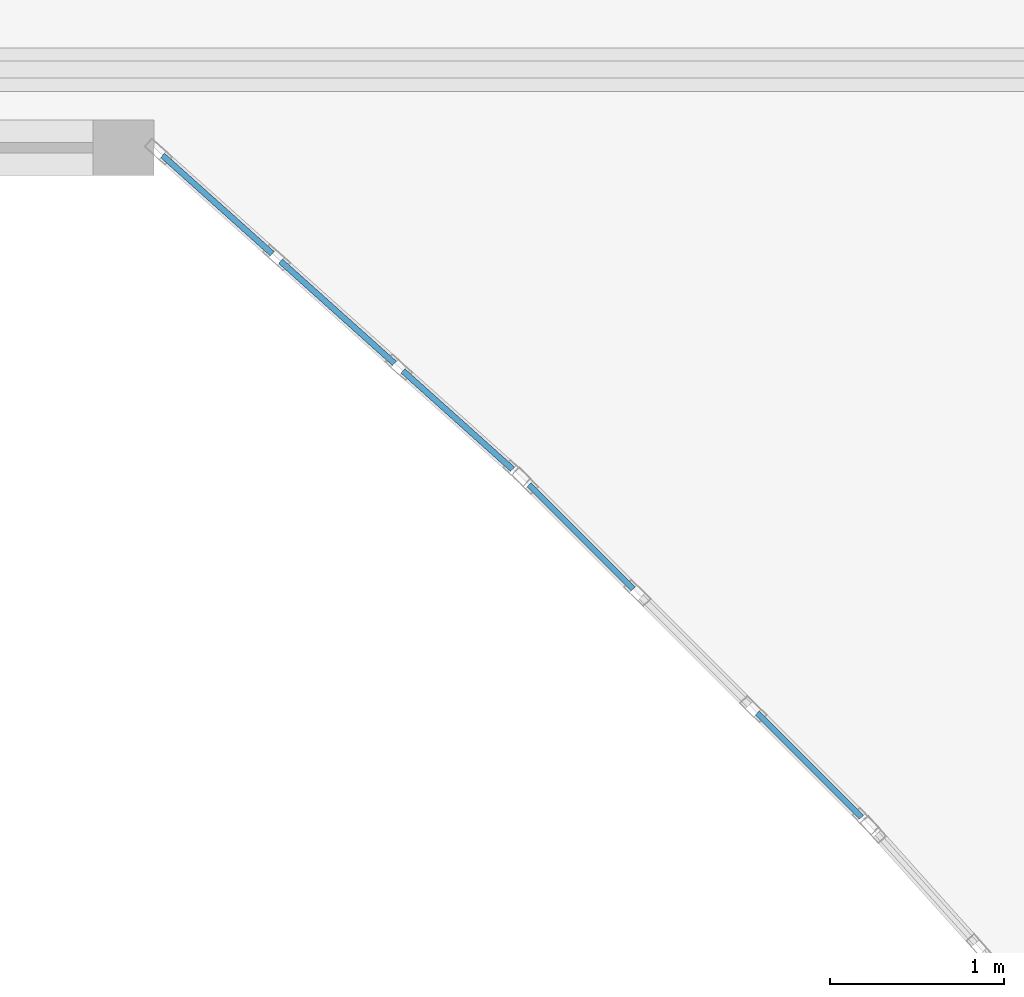
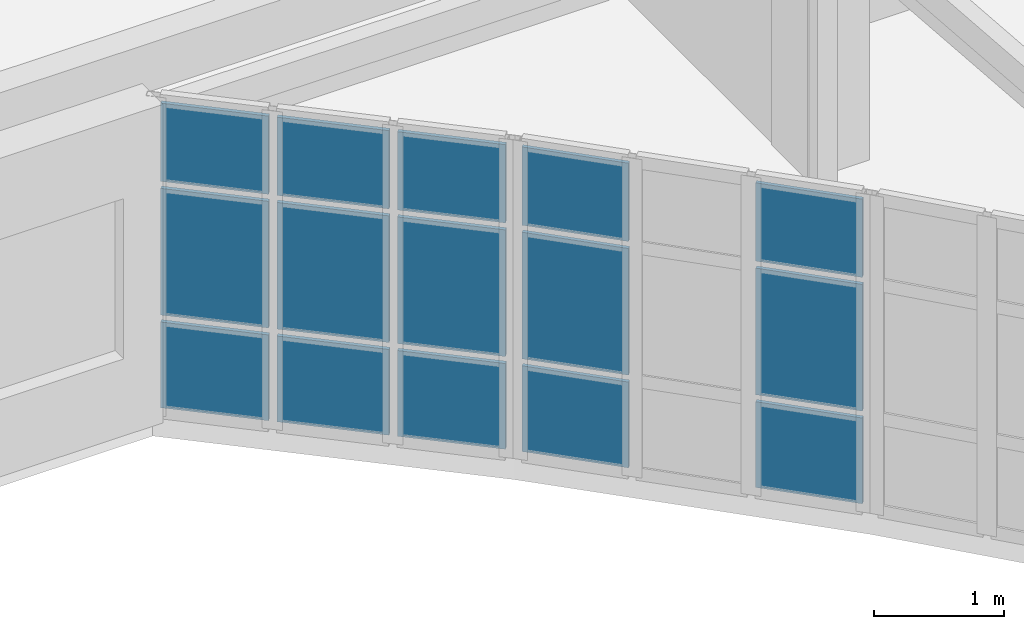
# One storey, part 20 of 49: 15 plates, 2 elements without a shape of their own.
"""IFC4 building model written with IfcOpenShell, lengths in metres."""

import ifcopenshell
import ifcopenshell.guid

model = None  # the IFC model being written
_history = None  # IfcOwnerHistory: only IFC2X3 demands one
_inside = {}  # id of a spatial element -> (the spatial element, [elements in it])
_under = {}  # id of a project, library or spatial element -> (it, [spatial elements below it])
_declared = {}  # id of a project -> (the project, [libraries it declares])
_typed = {}  # id of a type object -> (the type object, [elements of that type])
_made_of = {}  # id of a material, layer set ... -> (it, [elements and type objects made of it])


def new_model(schema):
    """Start an empty IFC model of exactly this schema.

    Asked for "IFC4X3", IfcOpenShell would pick the latest addendum, in which some entities
    have other attributes; the version numbers below select the first issue.
    IFC2X3 requires an IfcOwnerHistory on every rooted entity: one is made here for all.
    """
    global model, _history
    if schema == "IFC4X3":
        model = ifcopenshell.file(schema_version=(4, 3, 0, 0))
    else:
        model = ifcopenshell.file(schema=schema)
    _inside.clear()
    _under.clear()
    _declared.clear()
    _typed.clear()
    _made_of.clear()
    _history = None
    if model.schema == "IFC2X3":
        org = make("IfcOrganization", Name="unknown")
        user = make(
            "IfcPersonAndOrganization",
            ThePerson=make("IfcPerson", FamilyName="unknown"),
            TheOrganization=org,
        )
        app = make(
            "IfcApplication",
            ApplicationDeveloper=org,
            Version="unknown",
            ApplicationFullName="unknown",
            ApplicationIdentifier="unknown",
        )
        _history = make(
            "IfcOwnerHistory",
            OwningUser=user,
            OwningApplication=app,
            ChangeAction="ADDED",
            CreationDate=0,
        )
    return model


def make(cls, **values):
    """One entity of the class cls with the attributes given. An attribute that is None is left unset."""
    return model.create_entity(
        cls, **{name: value for name, value in values.items() if value is not None}
    )


def rooted(cls, **values):
    """An entity with a GlobalId (a new one), such as an element, a storey or a relation."""
    return make(cls, GlobalId=ifcopenshell.guid.new(), OwnerHistory=_history, **values)


def si_unit(unit_type, name, prefix=None):
    """IfcSIUnit, for example si_unit("LENGTHUNIT", "METRE", prefix="MILLI")."""
    return make("IfcSIUnit", UnitType=unit_type, Prefix=prefix, Name=name)


def assignment(units):
    """IfcUnitAssignment: the units of a project."""
    return None if units is None else make("IfcUnitAssignment", Units=units)


def point(xyz):
    """IfcCartesianPoint."""
    return None if xyz is None else make("IfcCartesianPoint", Coordinates=xyz)


def direction(xyz):
    """IfcDirection."""
    return None if xyz is None else make("IfcDirection", DirectionRatios=xyz)


def frame(location, z_axis=None, x_axis=None):
    """IfcAxis2Placement3D, a coordinate frame: its origin and axes. An axis left out is left unset."""
    return make(
        "IfcAxis2Placement3D",
        Location=point(location),
        Axis=direction(z_axis),
        RefDirection=direction(x_axis),
    )


def frame_2d(location, x_axis=None):
    """IfcAxis2Placement2D, a coordinate frame in the plane: its origin and x axis."""
    return make(
        "IfcAxis2Placement2D", Location=point(location), RefDirection=direction(x_axis)
    )


def origin():
    """The frame at (0, 0, 0) with its axes left unset."""
    return frame((0.0, 0.0, 0.0))


def origin_2d():
    """The frame at (0, 0) in the plane with its x axis left unset."""
    return frame_2d((0.0, 0.0))


def place(relative_to, where):
    """IfcLocalPlacement: puts the frame where relative to a parent placement (None: the world)."""
    return make(
        "IfcLocalPlacement", PlacementRelTo=relative_to, RelativePlacement=where
    )


def context(
    kind, dimensions, precision=None, world=None, true_north=None, identifier=None
):
    """IfcGeometricRepresentationContext, for example the 3D "Model" context."""
    return make(
        "IfcGeometricRepresentationContext",
        ContextIdentifier=identifier,
        ContextType=kind,
        CoordinateSpaceDimension=dimensions,
        Precision=precision,
        WorldCoordinateSystem=world,
        TrueNorth=true_north,
    )


def subcontext(parent, identifier, kind, view, scale=None):
    """IfcGeometricRepresentationSubContext, for example "Body" below "Model"."""
    return make(
        "IfcGeometricRepresentationSubContext",
        ContextIdentifier=identifier,
        ContextType=kind,
        ParentContext=parent,
        TargetScale=scale,
        TargetView=view,
    )


def project(units=None, contexts=None):
    """IfcProject with its units and contexts."""
    return rooted(
        "IfcProject",
        Name="project",
        RepresentationContexts=contexts,
        UnitsInContext=assignment(units),
    )


def spatial(cls, under=None, at=None, **own):
    """A site, building, storey or space (cls), placed at a placement, below another one or the project."""
    s = rooted(cls, ObjectPlacement=at, **own)
    if under is not None:
        _under.setdefault(under.id(), (under, []))[1].append(s)
    return s


def profile(cls, at=None, kind="AREA", **sizes):
    """A parametric profile (cls). Its sizes go by their IFC names, for example OverallWidth=200.0."""
    return make(cls, ProfileType=kind, Position=at, **sizes)


def rectangle(**sizes):
    """IfcRectangleProfileDef."""
    return profile("IfcRectangleProfileDef", **sizes)


def extrude(swept, where, along, depth):
    """IfcExtrudedAreaSolid: the profile swept, set in the frame where, extruded along a direction by depth."""
    return make(
        "IfcExtrudedAreaSolid",
        SweptArea=swept,
        Position=where,
        ExtrudedDirection=direction(along),
        Depth=depth,
    )


def shape(context_of_items, identifier, shape_type, items):
    """IfcShapeRepresentation: the items that make up one representation, for example the "Body"."""
    return make(
        "IfcShapeRepresentation",
        ContextOfItems=context_of_items,
        RepresentationIdentifier=identifier,
        RepresentationType=shape_type,
        Items=items,
    )


def material(Name=None, Category=None):
    """IfcMaterial."""
    return make("IfcMaterial", Name=Name, Category=Category)


def layer(
    of_material, thickness, ventilated=None, Name=None, Category=None, Priority=None
):
    """IfcMaterialLayer: one layer of a wall or slab, of a material (None: an air gap)."""
    return make(
        "IfcMaterialLayer",
        Material=of_material,
        LayerThickness=thickness,
        IsVentilated=ventilated,
        Name=Name,
        Category=Category,
        Priority=Priority,
    )


def layer_set(layers, Name=None):
    """IfcMaterialLayerSet."""
    return make("IfcMaterialLayerSet", MaterialLayers=layers, LayerSetName=Name)


def made_of(thing, what):
    """Note that an element or type object is made of a material, layer set ...; save() writes the relation."""
    if what is not None:
        _made_of.setdefault(what.id(), (what, []))[1].append(thing)
    return thing


def type_object(cls, material=None, **own):
    """A type object (cls), such as IfcWallType, which elements share."""
    return made_of(rooted(cls, **own), material)


def element(
    cls,
    number,
    at=None,
    inside=None,
    cuts=None,
    type_object=None,
    material=None,
    context=None,
    identifier="Body",
    shape_type=None,
    held_by="IfcProductDefinitionShape",
    body=None,
    shapes=None,
    **own,
):
    """One element of the class cls, such as IfcWall. Its Tag is "e" and its number.

    at: its placement. inside: the storey or other place that contains it. cuts: it is an
    opening in that element (IfcRelVoidsElement). A single representation is given by context,
    identifier, shape_type and body (its items); several are given by shapes. held_by: the class
    of the entity that holds the representations. save() writes the other relations.
    """
    e = rooted(cls, Tag="e%d" % number, ObjectPlacement=at, **own)
    if body is not None:
        shapes = [shape(context, identifier, shape_type, body)]
    if shapes is not None:
        e.Representation = make(held_by, Representations=shapes)
    if inside is not None:
        _inside.setdefault(inside.id(), (inside, []))[1].append(e)
    if cuts is not None:
        rooted(
            "IfcRelVoidsElement", RelatingBuildingElement=cuts, RelatedOpeningElement=e
        )
    if type_object is not None:
        _typed.setdefault(type_object.id(), (type_object, []))[1].append(e)
    return made_of(e, material)


def aggregate(whole, parts):
    """IfcRelAggregates: a whole, such as a stair, and the parts it consists of."""
    return rooted("IfcRelAggregates", RelatingObject=whole, RelatedObjects=parts)


def save(model, path):
    """Write the relations noted so far, then the file.

    IfcRelAggregates (storeys below a building ...), IfcRelContainedInSpatialStructure (elements
    in a storey), IfcRelDefinesByType, IfcRelAssociatesMaterial and IfcRelDeclares: one each for
    every whole, place, type object, material and project.
    """
    for whole, parts in _under.values():
        aggregate(whole, parts)
    for where, things in _inside.values():
        rooted(
            "IfcRelContainedInSpatialStructure",
            RelatedElements=things,
            RelatingStructure=where,
        )
    for kind, things in _typed.values():
        rooted("IfcRelDefinesByType", RelatedObjects=things, RelatingType=kind)
    for what, things in _made_of.values():
        rooted("IfcRelAssociatesMaterial", RelatedObjects=things, RelatingMaterial=what)
    for by, libraries in _declared.values():
        rooted("IfcRelDeclares", RelatingContext=by, RelatedDefinitions=libraries)
    model.write(path)


model = new_model("IFC4")

# Units and contexts
model_context = context("Model", 3, precision=1e-05, world=origin(), true_north=direction((0.0, 1.0)))
body_context = subcontext(model_context, "Body", "Model", "MODEL_VIEW")
ifc_project = project(units=[si_unit("LENGTHUNIT", "METRE"), si_unit("AREAUNIT", "SQUARE_METRE"), si_unit("VOLUMEUNIT", "CUBIC_METRE"), si_unit("PLANEANGLEUNIT", "RADIAN"), si_unit("MASSUNIT", "GRAM", prefix="KILO")], contexts=[model_context])

# Site, building, storey
site_placement = place(None, origin())
site = spatial("IfcSite", under=ifc_project, at=site_placement, CompositionType="ELEMENT")
building_placement = place(site_placement, origin())
building = spatial("IfcBuilding", under=site, at=building_placement, Name="Keldmere Railside Commons", CompositionType="ELEMENT")
storey_placement = place(building_placement, frame((0.0, 0.0, 29.760009765625)))
storey = spatial("IfcBuildingStorey", under=building, at=storey_placement, Name="L09", CompositionType="ELEMENT", Elevation=29.760009765625)

# Curtain wall, plates
ifc_material_1 = material(Name="Thermally Broken Aluminium", Category="aluminium")
ifc_layer_1 = layer(ifc_material_1, 0.159912109375, Name="Court Chord Wintergarden CW 4800x2850")
ifc_layer_set_1 = layer_set([ifc_layer_1], Name="Thermally Broken Aluminium")
curtain_wall_type_1 = type_object("IfcCurtainWallType", Name="Court Chord Wintergarden CW 4800x2850", PredefinedType="NOTDEFINED", material=ifc_layer_set_1)
curtain_wall_1_placement = place(storey_placement, origin())
curtain_wall_1 = element("IfcCurtainWall", 1, at=curtain_wall_1_placement, inside=storey, type_object=curtain_wall_type_1, Name="CW-12 CW-L09-082", PredefinedType="NOTDEFINED")
ifc_material_2 = material(Name="Low-E Insulated Double Glazing", Category="glass")
ifc_layer_2 = layer(ifc_material_2, 0.033935546875, Name="Acoustic Laminated Vision Panel 34")
ifc_layer_set_2 = layer_set([ifc_layer_2], Name="Low-E Insulated Double Glazing")
plate_type_1 = type_object("IfcPlateType", Name="Acoustic Laminated Vision Panel 34", PredefinedType="CURTAIN_PANEL", material=ifc_layer_set_2)
plate_1_placement = place(storey_placement, frame((43.74462890625, 98.435791015625, 0.06494140625), z_axis=(0.0, 0.0, 1.0), x_axis=(-0.744557333277, 0.667558519879, 0.0)))
plate_1 = element("IfcPlate", 2, at=plate_1_placement, type_object=plate_type_1, Name="CW-12 panel 1.1", PredefinedType="CURTAIN_PANEL", context=body_context, shape_type="SweptSolid", body=[
    extrude(rectangle(XDim=0.84619140625, YDim=0.033935546875, at=origin_2d()), origin(), (0.0, 0.0, 1.0), 0.802490234375),
])
plate_2_placement = place(storey_placement, frame((43.74462890625, 98.435791015625, 0.932373046875), z_axis=(0.0, 0.0, 1.0), x_axis=(-0.744557333277, 0.667558519879, 0.0)))
plate_2 = element("IfcPlate", 3, at=plate_2_placement, type_object=plate_type_1, Name="CW-12 panel 1.2", PredefinedType="CURTAIN_PANEL", context=body_context, shape_type="SweptSolid", body=[
    extrude(rectangle(XDim=0.84619140625, YDim=0.033935546875, at=origin_2d()), origin(), (0.0, 0.0, 1.0), 1.18505859375),
])
plate_3_placement = place(storey_placement, frame((43.74462890625, 98.435791015625, 2.1826171875), z_axis=(0.0, 0.0, 1.0), x_axis=(-0.744557333277, 0.667558519879, 0.0)))
plate_3 = element("IfcPlate", 4, at=plate_3_placement, type_object=plate_type_1, Name="CW-12 panel 1.3", PredefinedType="CURTAIN_PANEL", context=body_context, shape_type="SweptSolid", body=[
    extrude(rectangle(XDim=0.84619140625, YDim=0.033935546875, at=origin_2d()), origin(), (0.0, 0.0, 1.0), 0.732421875),
])
plate_4_placement = place(storey_placement, frame((43.053955078125, 99.054931640625, 0.06494140625), z_axis=(0.0, 0.0, 1.0), x_axis=(-0.744557333277, 0.667558519879, 0.0)))
plate_4 = element("IfcPlate", 5, at=plate_4_placement, type_object=plate_type_1, Name="CW-12 panel 2.1", PredefinedType="CURTAIN_PANEL", context=body_context, shape_type="SweptSolid", body=[
    extrude(rectangle(XDim=0.878662109375, YDim=0.033935546875, at=origin_2d()), origin(), (0.0, 0.0, 1.0), 0.802490234375),
])
plate_5_placement = place(storey_placement, frame((43.053955078125, 99.054931640625, 0.932373046875), z_axis=(0.0, 0.0, 1.0), x_axis=(-0.744557333277, 0.667558519879, 0.0)))
plate_5 = element("IfcPlate", 6, at=plate_5_placement, type_object=plate_type_1, Name="CW-12 panel 2.2", PredefinedType="CURTAIN_PANEL", context=body_context, shape_type="SweptSolid", body=[
    extrude(rectangle(XDim=0.878662109375, YDim=0.033935546875, at=origin_2d()), origin(), (0.0, 0.0, 1.0), 1.18505859375),
])
plate_6_placement = place(storey_placement, frame((43.053955078125, 99.054931640625, 2.1826171875), z_axis=(0.0, 0.0, 1.0), x_axis=(-0.744557333277, 0.667558519879, 0.0)))
plate_6 = element("IfcPlate", 7, at=plate_6_placement, type_object=plate_type_1, Name="CW-12 panel 2.3", PredefinedType="CURTAIN_PANEL", context=body_context, shape_type="SweptSolid", body=[
    extrude(rectangle(XDim=0.878662109375, YDim=0.033935546875, at=origin_2d()), origin(), (0.0, 0.0, 1.0), 0.732421875),
])
plate_7_placement = place(storey_placement, frame((42.363525390625, 99.674072265625, 0.06494140625), z_axis=(0.0, 0.0, 1.0), x_axis=(-0.744557333277, 0.667558519879, 0.0)))
plate_7 = element("IfcPlate", 8, at=plate_7_placement, type_object=plate_type_1, Name="CW-12 panel 3.1", PredefinedType="CURTAIN_PANEL", context=body_context, shape_type="SweptSolid", body=[
    extrude(rectangle(XDim=0.84619140625, YDim=0.033935546875, at=origin_2d()), origin(), (0.0, 0.0, 1.0), 0.802490234375),
])
plate_8_placement = place(storey_placement, frame((42.363525390625, 99.674072265625, 0.932373046875), z_axis=(0.0, 0.0, 1.0), x_axis=(-0.744557333277, 0.667558519879, 0.0)))
plate_8 = element("IfcPlate", 9, at=plate_8_placement, type_object=plate_type_1, Name="CW-12 panel 3.2", PredefinedType="CURTAIN_PANEL", context=body_context, shape_type="SweptSolid", body=[
    extrude(rectangle(XDim=0.84619140625, YDim=0.033935546875, at=origin_2d()), origin(), (0.0, 0.0, 1.0), 1.18505859375),
])
plate_9_placement = place(storey_placement, frame((42.363525390625, 99.674072265625, 2.1826171875), z_axis=(0.0, 0.0, 1.0), x_axis=(-0.744557333277, 0.667558519879, 0.0)))
plate_9 = element("IfcPlate", 10, at=plate_9_placement, type_object=plate_type_1, Name="CW-12 panel 3.3", PredefinedType="CURTAIN_PANEL", context=body_context, shape_type="SweptSolid", body=[
    extrude(rectangle(XDim=0.84619140625, YDim=0.033935546875, at=origin_2d()), origin(), (0.0, 0.0, 1.0), 0.732421875),
])
aggregate(curtain_wall_1, [plate_1, plate_2, plate_3, plate_4, plate_5, plate_6, plate_7, plate_8, plate_9])

ifc_layer_3 = layer(ifc_material_1, 0.159912109375, Name="Court Chord Wintergarden CW 5400x2850")
ifc_layer_set_3 = layer_set([ifc_layer_3], Name="Thermally Broken Aluminium")
curtain_wall_type_2 = type_object("IfcCurtainWallType", Name="Court Chord Wintergarden CW 5400x2850", PredefinedType="NOTDEFINED", material=ifc_layer_set_3)
curtain_wall_2_placement = place(storey_placement, origin())
curtain_wall_2 = element("IfcCurtainWall", 11, at=curtain_wall_2_placement, inside=storey, type_object=curtain_wall_type_2, Name="CW-13 CW-L09-083", PredefinedType="NOTDEFINED")
ifc_layer_4 = layer(ifc_material_2, 0.031982421875, Name="Clerestory Solar-Control Vision Panel 32")
ifc_layer_set_4 = layer_set([ifc_layer_4], Name="Low-E Insulated Double Glazing")
plate_type_2 = type_object("IfcPlateType", Name="Clerestory Solar-Control Vision Panel 32", PredefinedType="CURTAIN_PANEL", material=ifc_layer_set_4)
plate_10_placement = place(storey_placement, frame((45.764892578125, 96.453125, 0.06494140625), z_axis=(0.0, 0.0, 1.0), x_axis=(-0.707106781187, 0.707106781187, 0.0)))
plate_10 = element("IfcPlate", 12, at=plate_10_placement, type_object=plate_type_2, Name="CW-13 panel 1.1", PredefinedType="CURTAIN_PANEL", context=body_context, shape_type="SweptSolid", body=[
    extrude(rectangle(XDim=0.84619140625, YDim=0.031982421875, at=origin_2d()), origin(), (0.0, 0.0, 1.0), 0.802490234375),
])
plate_11_placement = place(storey_placement, frame((45.764892578125, 96.453125, 0.932373046875), z_axis=(0.0, 0.0, 1.0), x_axis=(-0.707106781187, 0.707106781187, 0.0)))
plate_11 = element("IfcPlate", 13, at=plate_11_placement, type_object=plate_type_2, Name="CW-13 panel 1.2", PredefinedType="CURTAIN_PANEL", context=body_context, shape_type="SweptSolid", body=[
    extrude(rectangle(XDim=0.84619140625, YDim=0.031982421875, at=origin_2d()), origin(), (0.0, 0.0, 1.0), 1.18505859375),
])
plate_12_placement = place(storey_placement, frame((45.764892578125, 96.453125, 2.1826171875), z_axis=(0.0, 0.0, 1.0), x_axis=(-0.707106781187, 0.707106781187, 0.0)))
plate_12 = element("IfcPlate", 14, at=plate_12_placement, type_object=plate_type_2, Name="CW-13 panel 1.3", PredefinedType="CURTAIN_PANEL", context=body_context, shape_type="SweptSolid", body=[
    extrude(rectangle(XDim=0.84619140625, YDim=0.031982421875, at=origin_2d()), origin(), (0.0, 0.0, 1.0), 0.732421875),
])
plate_13_placement = place(storey_placement, frame((44.453125, 97.764892578125, 0.06494140625), z_axis=(0.0, 0.0, 1.0), x_axis=(-0.707106781187, 0.707106781187, 0.0)))
plate_13 = element("IfcPlate", 15, at=plate_13_placement, type_object=plate_type_2, Name="CW-13 panel 3.1", PredefinedType="CURTAIN_PANEL", context=body_context, shape_type="SweptSolid", body=[
    extrude(rectangle(XDim=0.84619140625, YDim=0.031982421875, at=origin_2d()), origin(), (0.0, 0.0, 1.0), 0.802490234375),
])
plate_14_placement = place(storey_placement, frame((44.453125, 97.764892578125, 0.932373046875), z_axis=(0.0, 0.0, 1.0), x_axis=(-0.707106781187, 0.707106781187, 0.0)))
plate_14 = element("IfcPlate", 16, at=plate_14_placement, type_object=plate_type_2, Name="CW-13 panel 3.2", PredefinedType="CURTAIN_PANEL", context=body_context, shape_type="SweptSolid", body=[
    extrude(rectangle(XDim=0.84619140625, YDim=0.031982421875, at=origin_2d()), origin(), (0.0, 0.0, 1.0), 1.18505859375),
])
plate_15_placement = place(storey_placement, frame((44.453125, 97.764892578125, 2.1826171875), z_axis=(0.0, 0.0, 1.0), x_axis=(-0.707106781187, 0.707106781187, 0.0)))
plate_15 = element("IfcPlate", 17, at=plate_15_placement, type_object=plate_type_2, Name="CW-13 panel 3.3", PredefinedType="CURTAIN_PANEL", context=body_context, shape_type="SweptSolid", body=[
    extrude(rectangle(XDim=0.84619140625, YDim=0.031982421875, at=origin_2d()), origin(), (0.0, 0.0, 1.0), 0.732421875),
])
aggregate(curtain_wall_2, [plate_10, plate_11, plate_12, plate_13, plate_14, plate_15])

save(model, "model.ifc")
